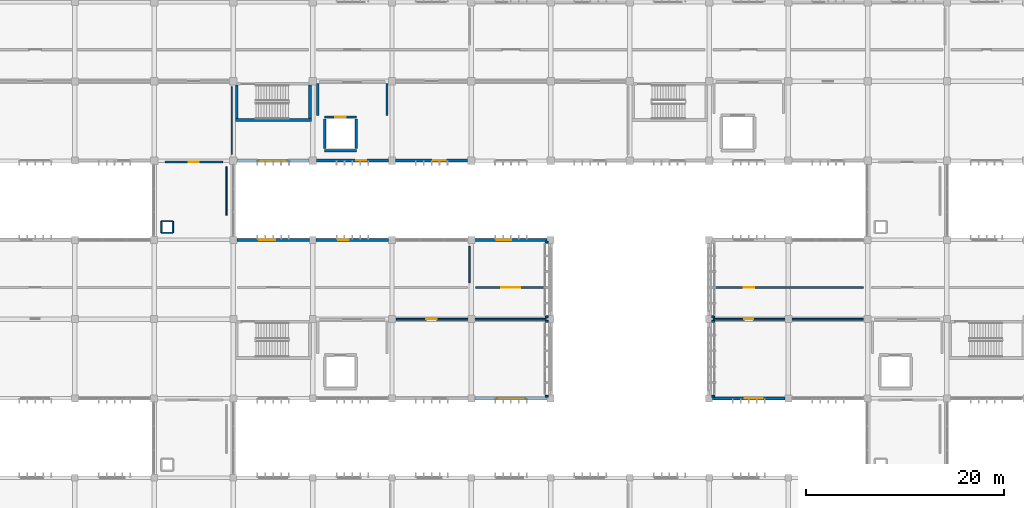
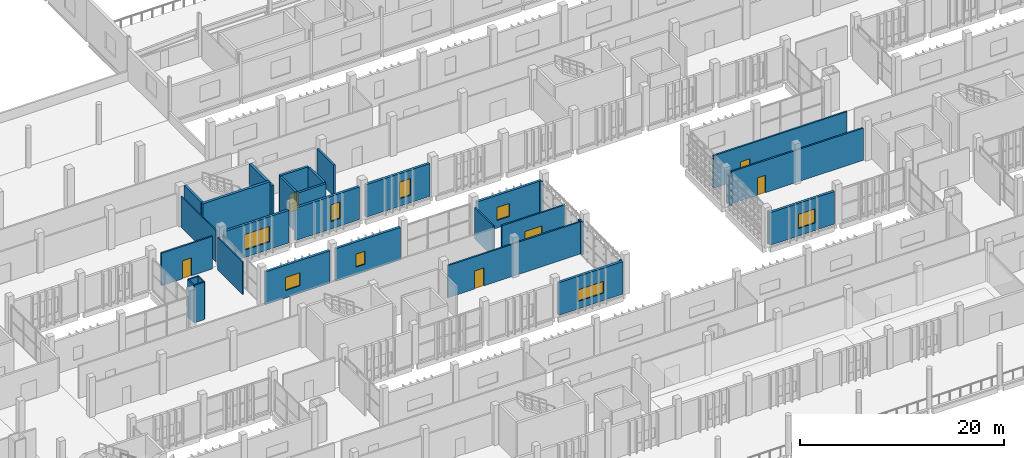
# One storey, part 82 of 106: 36 walls, 8 windows, 6 doors, 14 openings.
"""IFC4 building model written with IfcOpenShell, lengths in metres."""

from ifc_helpers import new_model, si_unit, direction, frame, frame_2d, origin, place, context, subcontext, project, spatial, rectangle, extrude, material, layer, layer_set, type_object, element, fill, save


model = new_model("IFC4")

# Units and contexts
model_context = context("Model", 3, precision=1e-05, world=origin(), true_north=direction((0.0, 1.0)))
body_context = subcontext(model_context, "Body", "Model", "MODEL_VIEW")
ifc_project = project(units=[si_unit("LENGTHUNIT", "METRE"), si_unit("AREAUNIT", "SQUARE_METRE"), si_unit("VOLUMEUNIT", "CUBIC_METRE"), si_unit("PLANEANGLEUNIT", "RADIAN"), si_unit("MASSUNIT", "GRAM", prefix="KILO")], contexts=[model_context])

# Site, building, storey
site_placement = place(None, origin())
site = spatial("IfcSite", under=ifc_project, at=site_placement, CompositionType="ELEMENT")
building_placement = place(site_placement, origin())
building = spatial("IfcBuilding", under=site, at=building_placement, Name="Jelvoka-Kovrelna Polytechnic", CompositionType="ELEMENT")
storey_placement = place(building_placement, frame((0.0, 0.0, 4.800048828125)))
storey = spatial("IfcBuildingStorey", under=building, at=storey_placement, Name="L02", CompositionType="ELEMENT", Elevation=4.800048828125)

# Walls
ifc_material_1 = material(Name="Concrete C35/45", Category="concrete")
ifc_layer_1 = layer(ifc_material_1, 0.219970703125)
ifc_layer_set_1 = layer_set([ifc_layer_1], Name="Concrete C35/45")
wall_type_1 = type_object("IfcWallType", Name="Wall_Compartment_220", PredefinedType="PARTITIONING", material=ifc_layer_set_1)
for number, where, z_axis, x_axis, name in (
    (1, (88.5, 60.550048828125, 0.0), (0.0, 0.0, 1.0), (0.0, 1.0, 0.0), "L02 interior wall 0276"),
    (2, (95.5, 60.550048828125, 0.0), (0.0, 0.0, 1.0), (0.0, 1.0, 0.0), "L02 interior wall 0277"),
):
    element("IfcWall", number, at=place(storey_placement, frame(where, z_axis=z_axis, x_axis=x_axis)), inside=storey, type_object=wall_type_1, Name=name, PredefinedType="PARTITIONING", context=body_context, shape_type="SweptSolid", body=[
        extrude(rectangle(XDim=3.25, YDim=0.219970703125, at=frame_2d((1.625, 0.0))), origin(), (0.0, 0.0, 1.0), 3.760009765625),
    ])
ifc_material_2 = material(Name="Concrete C40/50", Category="concrete")
ifc_layer_2 = layer(ifc_material_2, 0.25)
ifc_layer_set_2 = layer_set([ifc_layer_2], Name="Concrete C40/50")
wall_type_2 = type_object("IfcWallType", Name="Wall_Core_250", PredefinedType="SOLIDWALL", material=ifc_layer_set_2)
wall_1_placement = place(storey_placement, frame((80.324951171875, 60.25, 0.0), z_axis=(0.0, 0.0, 1.0), x_axis=(0.0, 1.0, 0.0)))
element("IfcWall", 3, at=wall_1_placement, inside=storey, type_object=wall_type_2, Name="L02 interior wall 0156", PredefinedType="SOLIDWALL", context=body_context, shape_type="SweptSolid", body=[
    extrude(rectangle(XDim=3.360107421875, YDim=0.25, at=frame_2d((1.68017578125, 0.0))), origin(), (0.0, 0.0, 1.0), 4.800048828125),
])
wall_2_placement = place(storey_placement, frame((89.199951171875, 57.0, 0.0), z_axis=(0.0, 0.0, 1.0), x_axis=(1.0, 0.0, 0.0)))
element("IfcWall", 4, at=wall_2_placement, inside=storey, type_object=wall_type_2, Name="L02 interior wall 0271", PredefinedType="SOLIDWALL", context=body_context, shape_type="SweptSolid", body=[
    extrude(rectangle(XDim=3.199951171875, YDim=0.25, at=frame_2d((1.60009765625, 0.0))), origin(), (0.0, 0.0, 1.0), 4.800048828125),
])

# Wall, opening, door
wall_3_placement = place(storey_placement, frame((89.199951171875, 60.39990234375, 0.0), z_axis=(0.0, 0.0, 1.0), x_axis=(1.0, 0.0, 0.0)))
wall_3 = element("IfcWall", 5, at=wall_3_placement, inside=storey, type_object=wall_type_2, Name="L02 interior wall 0272", PredefinedType="SOLIDWALL", context=body_context, shape_type="SweptSolid", body=[
    extrude(rectangle(XDim=3.199951171875, YDim=0.25, at=frame_2d((1.60009765625, 0.0))), origin(), (0.0, 0.0, 1.0), 4.800048828125),
])
opening_1_placement = place(wall_3_placement, frame((1.050048828125, 0.0, 0.0)))
opening_1 = element("IfcOpeningElement", 6, at=opening_1_placement, cuts=wall_3, Name="Opening LD-L02-03", PredefinedType="OPENING", context=body_context, shape_type="SweptSolid", body=[
    extrude(rectangle(XDim=1.10009765625, YDim=2.14990234375, at=frame_2d((0.550048828125, 1.074951171875))), frame((0.0, 0.135009765625, 0.0), z_axis=(0.0, -1.0, 0.0), x_axis=(1.0, 0.0, 0.0)), (0.0, 0.0, 1.0), 0.27001953125),
])
ifc_material_3 = material(Name="Brushed stainless steel sliding landing door", Category="steel")
door_type_1 = type_object("IfcDoorType", Name="Door_Lift_LD01", OperationType="NOTDEFINED", PredefinedType="DOOR", material=ifc_material_3)
door_1_placement = place(opening_1_placement, origin())
door_1 = element("IfcDoor", 7, at=door_1_placement, inside=storey, type_object=door_type_1, Name="L02 lift landing sliding door LD-L02-03", OperationType="DOUBLE_DOOR_SLIDING", OverallHeight=2.14990234375, OverallWidth=1.10009765625, PredefinedType="DOOR", context=body_context, shape_type="SweptSolid", body=[
    extrude(rectangle(XDim=1.10009765625, YDim=2.14990234375, at=frame_2d((0.550048828125, 1.074951171875))), frame((0.0, 0.02490234375, 0.0), z_axis=(0.0, -1.0, 0.0), x_axis=(1.0, 0.0, 0.0)), (0.0, 0.0, 1.0), 0.050048828125),
])
fill(opening_1, door_1)

# Walls
for number, where, z_axis, x_axis, name in (
    (8, (89.199951171875, 57.199951171875, 0.0), (0.0, 0.0, 1.0), (0.0, 1.0, 0.0), "L02 interior wall 0273"),
    (9, (92.39990234375, 57.199951171875, 0.0), (0.0, 0.0, 1.0), (0.0, 1.0, 0.0), "L02 interior wall 0274"),
):
    element("IfcWall", number, at=place(storey_placement, frame(where, z_axis=z_axis, x_axis=x_axis)), inside=storey, type_object=wall_type_2, Name=name, PredefinedType="SOLIDWALL", context=body_context, shape_type="SweptSolid", body=[
        extrude(rectangle(XDim=3.0, YDim=0.25, at=frame_2d((1.5, 0.0))), origin(), (0.0, 0.0, 1.0), 4.800048828125),
    ])

# Wall, opening, door
ifc_material_4 = material(Name="Autoclaved aerated concrete blockwork", Category="masonry")
ifc_layer_3 = layer(ifc_material_4, 0.179931640625)
ifc_layer_set_3 = layer_set([ifc_layer_3], Name="Autoclaved aerated concrete blockwork")
wall_type_3 = type_object("IfcWallType", Name="Wall_Corridor_180", PredefinedType="PARTITIONING", material=ifc_layer_set_3)
wall_4_placement = place(storey_placement, frame((96.429931640625, 40.0, 0.0), z_axis=(0.0, 0.0, 1.0), x_axis=(1.0, 0.0, 0.0)))
wall_4 = element("IfcWall", 10, at=wall_4_placement, inside=storey, type_object=wall_type_3, Name="L02 interior wall 0961", PredefinedType="PARTITIONING", context=body_context, shape_type="SweptSolid", body=[
    extrude(rectangle(XDim=15.14013671875, YDim=0.179931640625, at=frame_2d((7.570068359375, 0.0))), origin(), (0.0, 0.0, 1.0), 3.85986328125),
])
opening_2_placement = place(wall_4_placement, frame((3.044921875, 0.0, 0.0)))
opening_2 = element("IfcOpeningElement", 11, at=opening_2_placement, cuts=wall_4, Name="Opening D-L02-231", PredefinedType="OPENING", context=body_context, shape_type="SweptSolid", body=[
    extrude(rectangle(XDim=1.050048828125, YDim=2.14990234375, at=frame_2d((0.52490234375, 1.074951171875))), frame((0.0, 0.099853515625, 0.0), z_axis=(0.0, -1.0, 0.0), x_axis=(1.0, 0.0, 0.0)), (0.0, 0.0, 1.0), 0.199951171875),
])
ifc_material_5 = material(Name="Hardwood fire-resisting laboratory door", Category="wood")
door_type_2 = type_object("IfcDoorType", Name="Door_Fire_FD30_02", OperationType="NOTDEFINED", PredefinedType="DOOR", material=ifc_material_5)
door_2_placement = place(opening_2_placement, origin())
door_2 = element("IfcDoor", 12, at=door_2_placement, inside=storey, type_object=door_type_2, Name="L02 interior door D-L02-231", OperationType="SINGLE_SWING_LEFT", OverallHeight=2.14990234375, OverallWidth=1.050048828125, PredefinedType="DOOR", context=body_context, shape_type="SweptSolid", body=[
    extrude(rectangle(XDim=1.050048828125, YDim=2.14990234375, at=frame_2d((0.52490234375, 1.074951171875))), frame((0.0, 0.02490234375, 0.0), z_axis=(0.0, -1.0, 0.0), x_axis=(1.0, 0.0, 0.0)), (0.0, 0.0, 1.0), 0.050048828125),
])
fill(opening_2, door_2)

wall_5_placement = place(storey_placement, frame((104.429931640625, 43.199951171875, 0.0), z_axis=(0.0, 0.0, 1.0), x_axis=(1.0, 0.0, 0.0)))
wall_5 = element("IfcWall", 13, at=wall_5_placement, inside=storey, type_object=wall_type_3, Name="L02 interior wall 0965", PredefinedType="PARTITIONING", context=body_context, shape_type="SweptSolid", body=[
    extrude(rectangle(XDim=7.14013671875, YDim=0.179931640625, at=frame_2d((3.570068359375, 0.0))), origin(), (0.0, 0.0, 1.0), 3.89990234375),
])
opening_3_placement = place(wall_5_placement, frame((2.610107421875, 0.0, 0.0)))
opening_3 = element("IfcOpeningElement", 14, at=opening_3_placement, cuts=wall_5, Name="Opening D-L02-234", PredefinedType="OPENING", context=body_context, shape_type="SweptSolid", body=[
    extrude(rectangle(XDim=1.919921875, YDim=2.300048828125, at=frame_2d((0.9599609375, 1.14990234375))), frame((0.0, 0.099853515625, 0.0), z_axis=(0.0, -1.0, 0.0), x_axis=(1.0, 0.0, 0.0)), (0.0, 0.0, 1.0), 0.199951171875),
])
ifc_material_6 = material(Name="Paired workshop prep double door", Category="wood")
door_type_3 = type_object("IfcDoorType", Name="Door_Int_D23", OperationType="NOTDEFINED", PredefinedType="DOOR", material=ifc_material_6)
door_3_placement = place(opening_3_placement, origin())
door_3 = element("IfcDoor", 15, at=door_3_placement, inside=storey, type_object=door_type_3, Name="L02 interior door D-L02-234", OperationType="DOUBLE_DOOR_SINGLE_SWING", OverallHeight=2.300048828125, OverallWidth=1.919921875, PredefinedType="DOOR", context=body_context, shape_type="SweptSolid", body=[
    extrude(rectangle(XDim=1.919921875, YDim=2.300048828125, at=frame_2d((0.9599609375, 1.14990234375))), frame((0.0, 0.02490234375, 0.0), z_axis=(0.0, -1.0, 0.0), x_axis=(1.0, 0.0, 0.0)), (0.0, 0.0, 1.0), 0.050048828125),
])
fill(opening_3, door_3)

wall_6_placement = place(storey_placement, frame((128.429931640625, 40.0, 0.0), z_axis=(0.0, 0.0, 1.0), x_axis=(1.0, 0.0, 0.0)))
wall_6 = element("IfcWall", 16, at=wall_6_placement, inside=storey, type_object=wall_type_3, Name="L02 interior wall 0966", PredefinedType="PARTITIONING", context=body_context, shape_type="SweptSolid", body=[
    extrude(rectangle(XDim=15.14013671875, YDim=0.179931640625, at=frame_2d((7.570068359375, 0.0))), origin(), (0.0, 0.0, 1.0), 3.85986328125),
])
opening_4_placement = place(wall_6_placement, frame((3.1201171875, 0.0, 0.0)))
opening_4 = element("IfcOpeningElement", 17, at=opening_4_placement, cuts=wall_6, Name="Opening D-L02-235", PredefinedType="OPENING", context=body_context, shape_type="SweptSolid", body=[
    extrude(rectangle(XDim=0.89990234375, YDim=2.10009765625, at=frame_2d((0.449951171875, 1.050048828125))), frame((0.0, 0.099853515625, 0.0), z_axis=(0.0, -1.0, 0.0), x_axis=(1.0, 0.0, 0.0)), (0.0, 0.0, 1.0), 0.199951171875),
])
ifc_material_7 = material(Name="Hardwood solid-core door", Category="wood")
door_type_4 = type_object("IfcDoorType", Name="Door_Int_D01", OperationType="NOTDEFINED", PredefinedType="DOOR", material=ifc_material_7)
door_4_placement = place(opening_4_placement, origin())
door_4 = element("IfcDoor", 18, at=door_4_placement, inside=storey, type_object=door_type_4, Name="L02 interior door D-L02-235", OperationType="SINGLE_SWING_RIGHT", OverallHeight=2.10009765625, OverallWidth=0.89990234375, PredefinedType="DOOR", context=body_context, shape_type="SweptSolid", body=[
    extrude(rectangle(XDim=0.89990234375, YDim=2.10009765625, at=frame_2d((0.449951171875, 1.050048828125))), frame((0.0, 0.02490234375, 0.0), z_axis=(0.0, -1.0, 0.0), x_axis=(1.0, 0.0, 0.0)), (0.0, 0.0, 1.0), 0.050048828125),
])
fill(opening_4, door_4)

wall_7_placement = place(storey_placement, frame((128.429931640625, 43.199951171875, 0.0), z_axis=(0.0, 0.0, 1.0), x_axis=(1.0, 0.0, 0.0)))
wall_7 = element("IfcWall", 19, at=wall_7_placement, inside=storey, type_object=wall_type_3, Name="L02 interior wall 0970", PredefinedType="PARTITIONING", context=body_context, shape_type="SweptSolid", body=[
    extrude(rectangle(XDim=15.14013671875, YDim=0.179931640625, at=frame_2d((7.570068359375, 0.0))), origin(), (0.0, 0.0, 1.0), 3.89990234375),
])
opening_5_placement = place(wall_7_placement, frame((3.0400390625, 0.0, 0.0)))
opening_5 = element("IfcOpeningElement", 20, at=opening_5_placement, cuts=wall_7, Name="Opening D-L02-238", PredefinedType="OPENING", context=body_context, shape_type="SweptSolid", body=[
    extrude(rectangle(XDim=1.06005859375, YDim=2.10009765625, at=frame_2d((0.530029296875, 1.050048828125))), frame((0.0, 0.099853515625, 0.0), z_axis=(0.0, -1.0, 0.0), x_axis=(1.0, 0.0, 0.0)), (0.0, 0.0, 1.0), 0.199951171875),
])
ifc_material_8 = material(Name="Hardwood solid-core door", Category="wood")
door_type_5 = type_object("IfcDoorType", Name="Door_Int_D05", OperationType="NOTDEFINED", PredefinedType="DOOR", material=ifc_material_8)
door_5_placement = place(opening_5_placement, origin())
door_5 = element("IfcDoor", 21, at=door_5_placement, inside=storey, type_object=door_type_5, Name="L02 interior door D-L02-238", OperationType="SINGLE_SWING_LEFT", OverallHeight=2.10009765625, OverallWidth=1.06005859375, PredefinedType="DOOR", context=body_context, shape_type="SweptSolid", body=[
    extrude(rectangle(XDim=1.06005859375, YDim=2.10009765625, at=frame_2d((0.530029296875, 1.050048828125))), frame((0.0, 0.02490234375, 0.0), z_axis=(0.0, -1.0, 0.0), x_axis=(1.0, 0.0, 0.0)), (0.0, 0.0, 1.0), 0.050048828125),
])
fill(opening_5, door_5)

wall_8_placement = place(storey_placement, frame((73.10009765625, 55.85009765625, 0.0), z_axis=(0.0, 0.0, 1.0), x_axis=(1.0, 0.0, 0.0)))
wall_8 = element("IfcWall", 22, at=wall_8_placement, inside=storey, type_object=wall_type_3, Name="L02 interior wall 0996", PredefinedType="PARTITIONING", context=body_context, shape_type="SweptSolid", body=[
    extrude(rectangle(XDim=5.7998046875, YDim=0.179931640625, at=frame_2d((2.89990234375, 0.0))), origin(), (0.0, 0.0, 1.0), 3.89990234375),
])
opening_6_placement = place(wall_8_placement, frame((2.39990234375, 0.0, 0.0)))
opening_6 = element("IfcOpeningElement", 23, at=opening_6_placement, cuts=wall_8, Name="Opening D-L02-256", PredefinedType="OPENING", context=body_context, shape_type="SweptSolid", body=[
    extrude(rectangle(XDim=1.0, YDim=2.14990234375, at=frame_2d((0.5, 1.074951171875))), frame((0.0, 0.099853515625, 0.0), z_axis=(0.0, -1.0, 0.0), x_axis=(1.0, 0.0, 0.0)), (0.0, 0.0, 1.0), 0.199951171875),
])
ifc_material_9 = material(Name="Hardwood acoustic seminar door", Category="wood")
door_type_6 = type_object("IfcDoorType", Name="Door_Int_D08", OperationType="NOTDEFINED", PredefinedType="DOOR", material=ifc_material_9)
door_6_placement = place(opening_6_placement, origin())
door_6 = element("IfcDoor", 24, at=door_6_placement, inside=storey, type_object=door_type_6, Name="L02 interior door D-L02-256", OperationType="SINGLE_SWING_LEFT", OverallHeight=2.14990234375, OverallWidth=1.0, PredefinedType="DOOR", context=body_context, shape_type="SweptSolid", body=[
    extrude(rectangle(XDim=1.0, YDim=2.14990234375, at=frame_2d((0.5, 1.074951171875))), frame((0.0, 0.02490234375, 0.0), z_axis=(0.0, -1.0, 0.0), x_axis=(1.0, 0.0, 0.0)), (0.0, 0.0, 1.0), 0.050048828125),
])
fill(opening_6, door_6)

# Wall, opening, window
ifc_material_10 = material(Name="Precast concrete C40/50", Category="concrete")
ifc_layer_4 = layer(ifc_material_10, 0.280029296875)
ifc_layer_set_4 = layer_set([ifc_layer_4], Name="Precast concrete C40/50")
wall_type_4 = type_object("IfcWallType", Name="Wall_Ext_White_280", PredefinedType="STANDARD", material=ifc_layer_set_4)
wall_9_placement = place(storey_placement, frame((80.346923828125, 48.0, 0.0), z_axis=(0.0, 0.0, 1.0), x_axis=(1.0, 0.0, 0.0)))
wall_9 = element("IfcWall", 25, at=wall_9_placement, inside=storey, type_object=wall_type_4, Name="L02 exterior wall 0379", PredefinedType="STANDARD", context=body_context, shape_type="SweptSolid", body=[
    extrude(rectangle(XDim=7.30615234375, YDim=0.280029296875, at=frame_2d((3.653076171875, 0.0))), origin(), (0.0, 0.0, 1.0), 3.909912109375),
])
opening_7_placement = place(wall_9_placement, frame((2.23291015625, 0.0, 0.89990234375)))
opening_7 = element("IfcOpeningElement", 26, at=opening_7_placement, cuts=wall_9, Name="Opening W-L02-124", PredefinedType="OPENING", context=body_context, shape_type="SweptSolid", body=[
    extrude(rectangle(XDim=1.64990234375, YDim=1.550048828125, at=frame_2d((0.824951171875, 0.77490234375))), frame((0.0, 0.150146484375, 0.0), z_axis=(0.0, -1.0, 0.0), x_axis=(1.0, 0.0, 0.0)), (0.0, 0.0, 1.0), 0.300048828125),
])
ifc_material_11 = material(Name="Thermally broken anodised aluminium and low-e glazing", Category="aluminium")
window_type_1 = type_object("IfcWindowType", Name="Win_Casement_W24", PartitioningType="DOUBLE_PANEL_VERTICAL", PredefinedType="WINDOW", material=ifc_material_11)
window_1_placement = place(opening_7_placement, origin())
window_1 = element("IfcWindow", 27, at=window_1_placement, inside=storey, type_object=window_type_1, Name="L02 aluminium casement window W-L02-124", OverallHeight=1.550048828125, OverallWidth=1.64990234375, PartitioningType="DOUBLE_PANEL_VERTICAL", PredefinedType="WINDOW", context=body_context, shape_type="SweptSolid", body=[
    extrude(rectangle(XDim=1.64990234375, YDim=1.550048828125, at=frame_2d((0.824951171875, 0.77490234375))), frame((0.0, 0.030029296875, 0.0), z_axis=(0.0, -1.0, 0.0), x_axis=(1.0, 0.0, 0.0)), (0.0, 0.0, 1.0), 0.06005859375),
])
fill(opening_7, window_1)

wall_10_placement = place(storey_placement, frame((88.346923828125, 48.0, 0.0), z_axis=(0.0, 0.0, 1.0), x_axis=(1.0, 0.0, 0.0)))
wall_10 = element("IfcWall", 28, at=wall_10_placement, inside=storey, type_object=wall_type_4, Name="L02 exterior wall 0380", PredefinedType="STANDARD", context=body_context, shape_type="SweptSolid", body=[
    extrude(rectangle(XDim=7.30615234375, YDim=0.280029296875, at=frame_2d((3.653076171875, 0.0))), origin(), (0.0, 0.0, 1.0), 3.909912109375),
])
opening_8_placement = place(wall_10_placement, frame((2.23291015625, 0.0, 0.89990234375)))
opening_8 = element("IfcOpeningElement", 29, at=opening_8_placement, cuts=wall_10, Name="Opening W-L02-125", PredefinedType="OPENING", context=body_context, shape_type="SweptSolid", body=[
    extrude(rectangle(XDim=1.050048828125, YDim=1.550048828125, at=frame_2d((0.52490234375, 0.77490234375))), frame((0.0, 0.150146484375, 0.0), z_axis=(0.0, -1.0, 0.0), x_axis=(1.0, 0.0, 0.0)), (0.0, 0.0, 1.0), 0.300048828125),
])
ifc_material_12 = material(Name="Thermally broken anodised aluminium and low-e glazing", Category="aluminium")
window_type_2 = type_object("IfcWindowType", Name="Win_Casement_W21", PartitioningType="SINGLE_PANEL", PredefinedType="WINDOW", material=ifc_material_12)
window_2_placement = place(opening_8_placement, origin())
window_2 = element("IfcWindow", 30, at=window_2_placement, inside=storey, type_object=window_type_2, Name="L02 aluminium casement window W-L02-125", OverallHeight=1.550048828125, OverallWidth=1.050048828125, PartitioningType="SINGLE_PANEL", PredefinedType="WINDOW", context=body_context, shape_type="SweptSolid", body=[
    extrude(rectangle(XDim=1.050048828125, YDim=1.550048828125, at=frame_2d((0.52490234375, 0.77490234375))), frame((0.0, 0.030029296875, 0.0), z_axis=(0.0, -1.0, 0.0), x_axis=(1.0, 0.0, 0.0)), (0.0, 0.0, 1.0), 0.06005859375),
])
fill(opening_8, window_2)

wall_11_placement = place(storey_placement, frame((111.653076171875, 32.0, 0.0), z_axis=(0.0, 0.0, 1.0), x_axis=(-1.0, 0.0, 0.0)))
wall_11 = element("IfcWall", 31, at=wall_11_placement, inside=storey, type_object=wall_type_4, Name="L02 exterior wall 0382", PredefinedType="STANDARD", context=body_context, shape_type="SweptSolid", body=[
    extrude(rectangle(XDim=7.30615234375, YDim=0.280029296875, at=frame_2d((3.653076171875, 0.0))), origin(), (0.0, 0.0, 1.0), 3.909912109375),
])
opening_9_placement = place(wall_11_placement, frame((2.23291015625, 0.0, 0.89990234375)))
opening_9 = element("IfcOpeningElement", 32, at=opening_9_placement, cuts=wall_11, Name="Opening W-L02-127", PredefinedType="OPENING", context=body_context, shape_type="SweptSolid", body=[
    extrude(rectangle(XDim=2.85009765625, YDim=1.39990234375, at=frame_2d((1.425048828125, 0.699951171875))), frame((0.0, 0.150146484375, 0.0), z_axis=(0.0, -1.0, 0.0), x_axis=(1.0, 0.0, 0.0)), (0.0, 0.0, 1.0), 0.300048828125),
])
ifc_material_13 = material(Name="Thermally broken anodised aluminium and low-e glazing", Category="aluminium")
window_type_3 = type_object("IfcWindowType", Name="Win_Casement_W20", PartitioningType="DOUBLE_PANEL_VERTICAL", PredefinedType="WINDOW", material=ifc_material_13)
window_3_placement = place(opening_9_placement, origin())
window_3 = element("IfcWindow", 33, at=window_3_placement, inside=storey, type_object=window_type_3, Name="L02 aluminium casement window W-L02-127", OverallHeight=1.39990234375, OverallWidth=2.85009765625, PartitioningType="DOUBLE_PANEL_VERTICAL", PredefinedType="WINDOW", context=body_context, shape_type="SweptSolid", body=[
    extrude(rectangle(XDim=2.85009765625, YDim=1.39990234375, at=frame_2d((1.425048828125, 0.699951171875))), frame((0.0, 0.030029296875, 0.0), z_axis=(0.0, -1.0, 0.0), x_axis=(1.0, 0.0, 0.0)), (0.0, 0.0, 1.0), 0.06005859375),
])
fill(opening_9, window_3)

wall_12_placement = place(storey_placement, frame((104.346923828125, 48.0, 0.0), z_axis=(0.0, 0.0, 1.0), x_axis=(1.0, 0.0, 0.0)))
wall_12 = element("IfcWall", 34, at=wall_12_placement, inside=storey, type_object=wall_type_4, Name="L02 exterior wall 0383", PredefinedType="STANDARD", context=body_context, shape_type="SweptSolid", body=[
    extrude(rectangle(XDim=7.30615234375, YDim=0.280029296875, at=frame_2d((3.653076171875, 0.0))), origin(), (0.0, 0.0, 1.0), 3.909912109375),
])
opening_10_placement = place(wall_12_placement, frame((2.23291015625, 0.0, 0.89990234375)))
opening_10 = element("IfcOpeningElement", 35, at=opening_10_placement, cuts=wall_12, Name="Opening W-L02-128", PredefinedType="OPENING", context=body_context, shape_type="SweptSolid", body=[
    extrude(rectangle(XDim=1.449951171875, YDim=1.550048828125, at=frame_2d((0.72509765625, 0.77490234375))), frame((0.0, 0.150146484375, 0.0), z_axis=(0.0, -1.0, 0.0), x_axis=(1.0, 0.0, 0.0)), (0.0, 0.0, 1.0), 0.300048828125),
])
ifc_material_14 = material(Name="Thermally broken anodised aluminium and low-e glazing", Category="aluminium")
window_type_4 = type_object("IfcWindowType", Name="Win_Casement_W23", PartitioningType="SINGLE_PANEL", PredefinedType="WINDOW", material=ifc_material_14)
window_4_placement = place(opening_10_placement, origin())
window_4 = element("IfcWindow", 36, at=window_4_placement, inside=storey, type_object=window_type_4, Name="L02 aluminium casement window W-L02-128", OverallHeight=1.550048828125, OverallWidth=1.449951171875, PartitioningType="SINGLE_PANEL", PredefinedType="WINDOW", context=body_context, shape_type="SweptSolid", body=[
    extrude(rectangle(XDim=1.449951171875, YDim=1.550048828125, at=frame_2d((0.72509765625, 0.77490234375))), frame((0.0, 0.030029296875, 0.0), z_axis=(0.0, -1.0, 0.0), x_axis=(1.0, 0.0, 0.0)), (0.0, 0.0, 1.0), 0.06005859375),
])
fill(opening_10, window_4)

wall_13_placement = place(storey_placement, frame((135.653076171875, 32.0, 0.0), z_axis=(0.0, 0.0, 1.0), x_axis=(-1.0, 0.0, 0.0)))
wall_13 = element("IfcWall", 37, at=wall_13_placement, inside=storey, type_object=wall_type_4, Name="L02 exterior wall 0461", PredefinedType="STANDARD", context=body_context, shape_type="SweptSolid", body=[
    extrude(rectangle(XDim=7.30615234375, YDim=0.280029296875, at=frame_2d((3.653076171875, 0.0))), origin(), (0.0, 0.0, 1.0), 3.909912109375),
])
opening_11_placement = place(wall_13_placement, frame((2.23291015625, 0.0, 0.89990234375)))
opening_11 = element("IfcOpeningElement", 38, at=opening_11_placement, cuts=wall_13, Name="Opening W-L02-178", PredefinedType="OPENING", context=body_context, shape_type="SweptSolid", body=[
    extrude(rectangle(XDim=1.85009765625, YDim=1.699951171875, at=frame_2d((0.925048828125, 0.85009765625))), frame((0.0, 0.150146484375, 0.0), z_axis=(0.0, -1.0, 0.0), x_axis=(1.0, 0.0, 0.0)), (0.0, 0.0, 1.0), 0.300048828125),
])
ifc_material_15 = material(Name="Thermally broken anodised aluminium and low-e glazing", Category="aluminium")
window_type_5 = type_object("IfcWindowType", Name="Win_Casement_W35", PartitioningType="DOUBLE_PANEL_VERTICAL", PredefinedType="WINDOW", material=ifc_material_15)
window_5_placement = place(opening_11_placement, origin())
window_5 = element("IfcWindow", 39, at=window_5_placement, inside=storey, type_object=window_type_5, Name="L02 aluminium casement window W-L02-178", OverallHeight=1.699951171875, OverallWidth=1.85009765625, PartitioningType="DOUBLE_PANEL_VERTICAL", PredefinedType="WINDOW", context=body_context, shape_type="SweptSolid", body=[
    extrude(rectangle(XDim=1.85009765625, YDim=1.699951171875, at=frame_2d((0.925048828125, 0.85009765625))), frame((0.0, 0.030029296875, 0.0), z_axis=(0.0, -1.0, 0.0), x_axis=(1.0, 0.0, 0.0)), (0.0, 0.0, 1.0), 0.06005859375),
])
fill(opening_11, window_5)

wall_14_placement = place(storey_placement, frame((87.6279296875, 56.0, 0.0), z_axis=(0.0, 0.0, 1.0), x_axis=(-1.0, 0.0, 0.0)))
wall_14 = element("IfcWall", 40, at=wall_14_placement, inside=storey, type_object=wall_type_4, Name="L02 exterior wall 0609", PredefinedType="STANDARD", context=body_context, shape_type="SweptSolid", body=[
    extrude(rectangle(XDim=7.255859375, YDim=0.280029296875, at=frame_2d((3.6279296875, 0.0))), origin(), (0.0, 0.0, 1.0), 3.909912109375),
])
opening_12_placement = place(wall_14_placement, frame((2.2080078125, 0.0, 0.89990234375)))
opening_12 = element("IfcOpeningElement", 41, at=opening_12_placement, cuts=wall_14, Name="Opening W-L02-283", PredefinedType="OPENING", context=body_context, shape_type="SweptSolid", body=[
    extrude(rectangle(XDim=2.85009765625, YDim=1.85009765625, at=frame_2d((1.425048828125, 0.925048828125))), frame((0.0, 0.150146484375, 0.0), z_axis=(0.0, -1.0, 0.0), x_axis=(1.0, 0.0, 0.0)), (0.0, 0.0, 1.0), 0.300048828125),
])
ifc_material_16 = material(Name="Thermally broken anodised aluminium and low-e glazing", Category="aluminium")
window_type_6 = type_object("IfcWindowType", Name="Win_Casement_W50", PartitioningType="DOUBLE_PANEL_VERTICAL", PredefinedType="WINDOW", material=ifc_material_16)
window_6_placement = place(opening_12_placement, origin())
window_6 = element("IfcWindow", 42, at=window_6_placement, inside=storey, type_object=window_type_6, Name="L02 aluminium casement window W-L02-283", OverallHeight=1.85009765625, OverallWidth=2.85009765625, PartitioningType="DOUBLE_PANEL_VERTICAL", PredefinedType="WINDOW", context=body_context, shape_type="SweptSolid", body=[
    extrude(rectangle(XDim=2.85009765625, YDim=1.85009765625, at=frame_2d((1.425048828125, 0.925048828125))), frame((0.0, 0.030029296875, 0.0), z_axis=(0.0, -1.0, 0.0), x_axis=(1.0, 0.0, 0.0)), (0.0, 0.0, 1.0), 0.06005859375),
])
fill(opening_12, window_6)

wall_15_placement = place(storey_placement, frame((95.6279296875, 56.0, 0.0), z_axis=(0.0, 0.0, 1.0), x_axis=(-1.0, 0.0, 0.0)))
wall_15 = element("IfcWall", 43, at=wall_15_placement, inside=storey, type_object=wall_type_4, Name="L02 exterior wall 0610", PredefinedType="STANDARD", context=body_context, shape_type="SweptSolid", body=[
    extrude(rectangle(XDim=7.255859375, YDim=0.280029296875, at=frame_2d((3.6279296875, 0.0))), origin(), (0.0, 0.0, 1.0), 3.909912109375),
])
opening_13_placement = place(wall_15_placement, frame((2.2080078125, 0.0, 0.89990234375)))
opening_13 = element("IfcOpeningElement", 44, at=opening_13_placement, cuts=wall_15, Name="Opening W-L02-284", PredefinedType="OPENING", context=body_context, shape_type="SweptSolid", body=[
    extrude(rectangle(XDim=1.050048828125, YDim=2.0, at=frame_2d((0.52490234375, 1.0))), frame((0.0, 0.150146484375, 0.0), z_axis=(0.0, -1.0, 0.0), x_axis=(1.0, 0.0, 0.0)), (0.0, 0.0, 1.0), 0.300048828125),
])
ifc_material_17 = material(Name="Thermally broken anodised aluminium and low-e glazing", Category="aluminium")
window_type_7 = type_object("IfcWindowType", Name="Win_Casement_W51", PartitioningType="SINGLE_PANEL", PredefinedType="WINDOW", material=ifc_material_17)
window_7_placement = place(opening_13_placement, origin())
window_7 = element("IfcWindow", 45, at=window_7_placement, inside=storey, type_object=window_type_7, Name="L02 aluminium casement window W-L02-284", OverallHeight=2.0, OverallWidth=1.050048828125, PartitioningType="SINGLE_PANEL", PredefinedType="WINDOW", context=body_context, shape_type="SweptSolid", body=[
    extrude(rectangle(XDim=1.050048828125, YDim=2.0, at=frame_2d((0.52490234375, 1.0))), frame((0.0, 0.030029296875, 0.0), z_axis=(0.0, -1.0, 0.0), x_axis=(1.0, 0.0, 0.0)), (0.0, 0.0, 1.0), 0.06005859375),
])
fill(opening_13, window_7)

wall_16_placement = place(storey_placement, frame((103.6279296875, 56.0, 0.0), z_axis=(0.0, 0.0, 1.0), x_axis=(-1.0, 0.0, 0.0)))
wall_16 = element("IfcWall", 46, at=wall_16_placement, inside=storey, type_object=wall_type_4, Name="L02 exterior wall 0612", PredefinedType="STANDARD", context=body_context, shape_type="SweptSolid", body=[
    extrude(rectangle(XDim=7.255859375, YDim=0.280029296875, at=frame_2d((3.6279296875, 0.0))), origin(), (0.0, 0.0, 1.0), 3.909912109375),
])
opening_14_placement = place(wall_16_placement, frame((2.2080078125, 0.0, 0.89990234375)))
opening_14 = element("IfcOpeningElement", 47, at=opening_14_placement, cuts=wall_16, Name="Opening W-L02-286", PredefinedType="OPENING", context=body_context, shape_type="SweptSolid", body=[
    extrude(rectangle(XDim=1.25, YDim=2.0, at=frame_2d((0.625, 1.0))), frame((0.0, 0.150146484375, 0.0), z_axis=(0.0, -1.0, 0.0), x_axis=(1.0, 0.0, 0.0)), (0.0, 0.0, 1.0), 0.300048828125),
])
ifc_material_18 = material(Name="Thermally broken anodised aluminium and low-e glazing", Category="aluminium")
window_type_8 = type_object("IfcWindowType", Name="Win_Casement_W52", PartitioningType="SINGLE_PANEL", PredefinedType="WINDOW", material=ifc_material_18)
window_8_placement = place(opening_14_placement, origin())
window_8 = element("IfcWindow", 48, at=window_8_placement, inside=storey, type_object=window_type_8, Name="L02 aluminium casement window W-L02-286", OverallHeight=2.0, OverallWidth=1.25, PartitioningType="SINGLE_PANEL", PredefinedType="WINDOW", context=body_context, shape_type="SweptSolid", body=[
    extrude(rectangle(XDim=1.25, YDim=2.0, at=frame_2d((0.625, 1.0))), frame((0.0, 0.030029296875, 0.0), z_axis=(0.0, -1.0, 0.0), x_axis=(1.0, 0.0, 0.0)), (0.0, 0.0, 1.0), 0.06005859375),
])
fill(opening_14, window_8)

# Walls
ifc_material_19 = material(Name="Precast concrete C40/50", Category="concrete")
ifc_layer_5 = layer(ifc_material_19, 0.199951171875)
ifc_layer_set_5 = layer_set([ifc_layer_5], Name="Precast concrete C40/50")
wall_type_5 = type_object("IfcWallType", Name="Wall_Parapet_200", PredefinedType="PARAPET", material=ifc_layer_set_5)
for number, where, z_axis, x_axis, name in (
    (49, (111.760009765625, 32.219970703125, 0.0), (0.0, 0.0, 1.0), (-1.0, 0.0, 0.0), "L02 exterior wall 0384"),
    (50, (111.760009765625, 39.780029296875, 0.0), (0.0, 0.0, 1.0), (-1.0, 0.0, 0.0), "L02 exterior wall 0385"),
    (51, (111.760009765625, 40.219970703125, 0.0), (0.0, 0.0, 1.0), (-1.0, 0.0, 0.0), "L02 exterior wall 0386"),
    (52, (111.760009765625, 47.780029296875, 0.0), (0.0, 0.0, 1.0), (-1.0, 0.0, 0.0), "L02 exterior wall 0387"),
    (53, (128.239990234375, 32.219970703125, 0.0), (0.0, 0.0, 1.0), (1.0, 0.0, 0.0), "L02 exterior wall 0468"),
    (54, (128.239990234375, 39.780029296875, 0.0), (0.0, 0.0, 1.0), (1.0, 0.0, 0.0), "L02 exterior wall 0469"),
    (55, (128.239990234375, 40.219970703125, 0.0), (0.0, 0.0, 1.0), (1.0, 0.0, 0.0), "L02 exterior wall 0470"),
):
    element("IfcWall", number, at=place(storey_placement, frame(where, z_axis=z_axis, x_axis=x_axis)), inside=storey, type_object=wall_type_5, Name=name, PredefinedType="PARAPET", context=body_context, shape_type="SweptSolid", body=[
        extrude(rectangle(XDim=0.320068359375, YDim=0.199951171875, at=frame_2d((0.16015625, 0.0))), origin(), (0.0, 0.0, 1.0), 3.949951171875),
    ])
ifc_material_20 = material(Name="Acoustic gypsum stud partition")
ifc_layer_6 = layer(ifc_material_20, 0.125)
ifc_layer_set_6 = layer_set([ifc_layer_6], Name="Acoustic gypsum stud partition")
wall_type_6 = type_object("IfcWallType", Name="Wall_Partition_125", PredefinedType="PARTITIONING", material=ifc_layer_set_6)
wall_17_placement = place(storey_placement, frame((79.820068359375, 56.6201171875, 0.0), z_axis=(0.0, 0.0, 1.0), x_axis=(0.0, 1.0, 0.0)))
element("IfcWall", 56, at=wall_17_placement, inside=storey, type_object=wall_type_6, Name="L02 interior wall 0977", PredefinedType="PARTITIONING", context=body_context, shape_type="SweptSolid", body=[
    extrude(rectangle(XDim=6.809814453125, YDim=0.125, at=frame_2d((3.40478515625, 0.0))), origin(), (0.0, 0.0, 1.0), 3.760009765625),
])
wall_18_placement = place(storey_placement, frame((79.300048828125, 50.469970703125, 0.0), z_axis=(0.0, 0.0, 1.0), x_axis=(0.0, 1.0, 0.0)))
element("IfcWall", 57, at=wall_18_placement, inside=storey, type_object=wall_type_6, Name="L02 interior wall 0997", PredefinedType="PARTITIONING", context=body_context, shape_type="SweptSolid", body=[
    extrude(rectangle(XDim=4.909912109375, YDim=0.125, at=frame_2d((2.455078125, 0.0))), origin(), (0.0, 0.0, 1.0), 3.89990234375),
])
ifc_material_21 = material(Name="Autoclaved aerated concrete blockwork", Category="masonry")
ifc_layer_7 = layer(ifc_material_21, 0.14990234375)
ifc_layer_set_7 = layer_set([ifc_layer_7], Name="Autoclaved aerated concrete blockwork")
wall_type_7 = type_object("IfcWallType", Name="Wall_Partition_150", PredefinedType="PARTITIONING", material=ifc_layer_set_7)
for number, where, z_axis, x_axis, name in (
    (58, (72.719970703125, 48.719970703125, 0.0), (0.0, 0.0, 1.0), (1.0, 0.0, 0.0), "L02 interior wall 0706"),
    (59, (73.8798828125, 48.719970703125, 0.0), (0.0, 0.0, 1.0), (0.0, 1.0, 0.0), "L02 interior wall 0707"),
    (60, (73.8798828125, 49.8798828125, 0.0), (0.0, 0.0, 1.0), (-1.0, 0.0, 0.0), "L02 interior wall 0708"),
    (61, (72.719970703125, 49.8798828125, 0.0), (0.0, 0.0, 1.0), (0.0, -1.0, 0.0), "L02 interior wall 0709"),
):
    element("IfcWall", number, at=place(storey_placement, frame(where, z_axis=z_axis, x_axis=x_axis)), inside=storey, type_object=wall_type_7, Name=name, PredefinedType="PARTITIONING", context=body_context, shape_type="SweptSolid", body=[
        extrude(rectangle(XDim=1.159912109375, YDim=0.14990234375, at=frame_2d((0.580078125, 0.0))), origin(), (0.0, 0.0, 1.0), 4.5),
    ])
wall_19_placement = place(storey_placement, frame((103.820068359375, 43.669921875, 0.0), z_axis=(0.0, 0.0, 1.0), x_axis=(0.0, 1.0, 0.0)))
element("IfcWall", 62, at=wall_19_placement, inside=storey, type_object=wall_type_7, Name="L02 interior wall 0964", PredefinedType="PARTITIONING", context=body_context, shape_type="SweptSolid", body=[
    extrude(rectangle(XDim=3.7099609375, YDim=0.14990234375, at=frame_2d((1.85498046875, 0.0))), origin(), (0.0, 0.0, 1.0), 3.760009765625),
])
ifc_material_22 = material(Name="Concrete C40/50", Category="concrete")
ifc_layer_8 = layer(ifc_material_22, 0.300048828125)
ifc_layer_set_8 = layer_set([ifc_layer_8], Name="Concrete C40/50")
wall_type_8 = type_object("IfcWallType", Name="Wall_Shear_300", PredefinedType="SHEAR", material=ifc_layer_set_8)
wall_20_placement = place(storey_placement, frame((80.199951171875, 60.090087890625, 0.0), z_axis=(0.0, 0.0, 1.0), x_axis=(1.0, 0.0, 0.0)))
element("IfcWall", 63, at=wall_20_placement, inside=storey, type_object=wall_type_8, Name="L02 interior wall 0153", PredefinedType="SHEAR", context=body_context, shape_type="SweptSolid", body=[
    extrude(rectangle(XDim=7.650146484375, YDim=0.300048828125, at=frame_2d((3.8251953125, 0.0))), origin(), (0.0, 0.0, 1.0), 4.800048828125),
])
wall_21_placement = place(storey_placement, frame((87.7099609375, 60.25, 0.0), z_axis=(0.0, 0.0, 1.0), x_axis=(0.0, 1.0, 0.0)))
element("IfcWall", 64, at=wall_21_placement, inside=storey, type_object=wall_type_8, Name="L02 interior wall 0154", PredefinedType="SHEAR", context=body_context, shape_type="SweptSolid", body=[
    extrude(rectangle(XDim=3.360107421875, YDim=0.300048828125, at=frame_2d((1.68017578125, 0.0))), origin(), (0.0, 0.0, 1.0), 4.800048828125),
])

save(model, "model.ifc")
